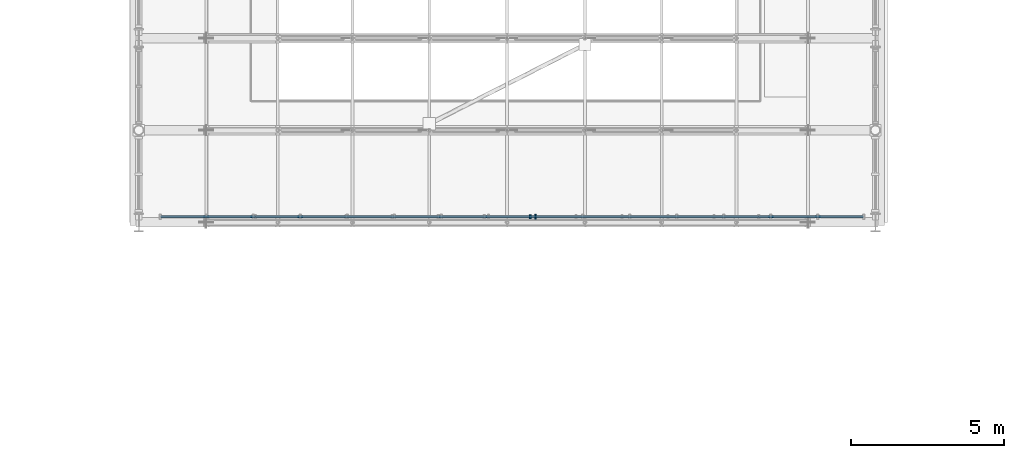
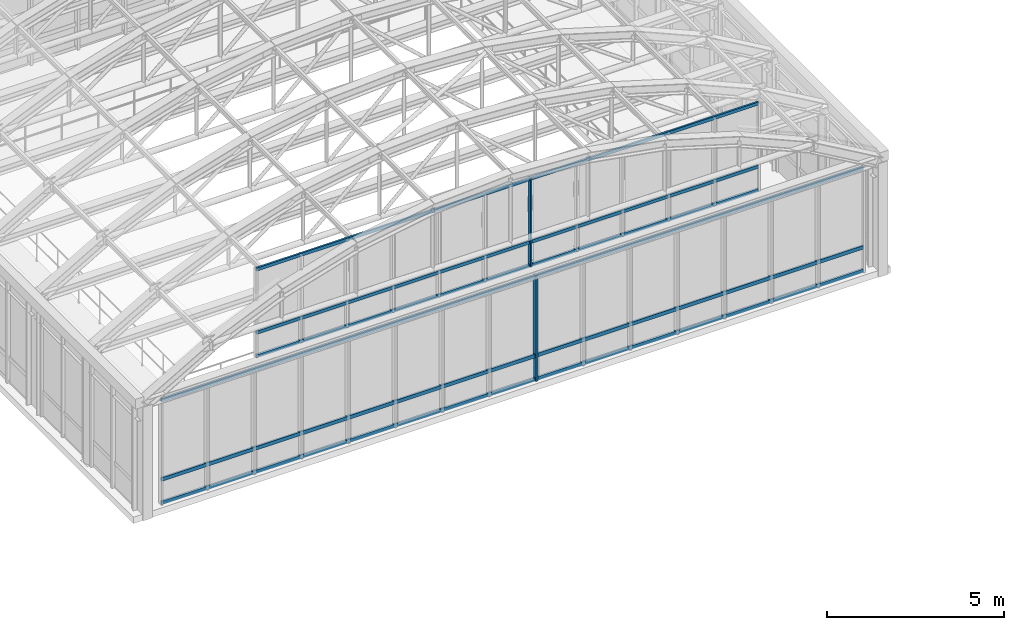
# One storey, part 54 of 148: 8 members, 2 elements without a shape of their own.
"""IFC4 building model written with IfcOpenShell, lengths in metres."""

from ifc_helpers import new_model, si_unit, direction, frame, origin, origin_2d, place, context, subcontext, project, spatial, rectangle, extrude, material, layer, layer_set, material_profile, profile_set, type_object, element, aggregate, save


model = new_model("IFC4")

# Units and contexts
model_context = context("Model", 3, precision=1e-05, world=origin(), true_north=direction((0.0, 1.0)))
body_context = subcontext(model_context, "Body", "Model", "MODEL_VIEW")
ifc_project = project(units=[si_unit("LENGTHUNIT", "METRE"), si_unit("AREAUNIT", "SQUARE_METRE"), si_unit("VOLUMEUNIT", "CUBIC_METRE"), si_unit("PLANEANGLEUNIT", "RADIAN"), si_unit("MASSUNIT", "GRAM", prefix="KILO"), si_unit("THERMODYNAMICTEMPERATUREUNIT", "KELVIN"), si_unit("POWERUNIT", "WATT")], contexts=[model_context])

# Site, building, storey
site_placement = place(None, origin())
site = spatial("IfcSite", under=ifc_project, at=site_placement, CompositionType="ELEMENT")
building_placement = place(site_placement, origin())
building = spatial("IfcBuilding", under=site, at=building_placement, Name="Solvatero Civic Police Headquarters", CompositionType="ELEMENT")
storey_placement = place(building_placement, frame((0.0, 0.0, 5.10009765625)))
storey = spatial("IfcBuildingStorey", under=building, at=storey_placement, Name="L01", CompositionType="ELEMENT", Elevation=5.10009765625)

# Curtain wall, member
ifc_material = material(Name="Anodized Bronze Aluminium", Category="aluminium")
ifc_layer_1 = layer(ifc_material, 0.179931640625)
ifc_layer_set_1 = layer_set([ifc_layer_1], Name="Anodized Bronze Aluminium")
curtain_wall_type_1 = type_object("IfcCurtainWallType", Name="CW-VLT-TYMP", PredefinedType="USERDEFINED", material=ifc_layer_set_1)
curtain_wall_1_placement = place(storey_placement, origin())
curtain_wall_1 = element("IfcCurtainWall", 1, at=curtain_wall_1_placement, inside=storey, type_object=curtain_wall_type_1, Name="Curtain Wall CW-R2-L01-VLT2-S", ObjectType="UNITISED", PredefinedType="USERDEFINED")
ifc_material_profile_1 = material_profile(ifc_material, rectangle(XDim=0.06005859375, YDim=0.139892578125, at=origin_2d()), Name="ALU MULLION 60x140")
ifc_profile_set_1 = profile_set([ifc_material_profile_1], Name="Anodized Bronze Aluminium")
member_type_1 = type_object("IfcMemberType", Name="CWM-160x65", PredefinedType="MULLION", material=ifc_profile_set_1)
member_1_placement = place(storey_placement, frame((77.549072265625, 41.679931640625, 3.97998046875), z_axis=(0.0, 0.0, 1.0), x_axis=(1.0, 0.0, 0.0)))
member_1 = element("IfcMember", 2, at=member_1_placement, type_object=member_type_1, Name="CW-R2-L01-VLT2-S Mullion 7", PredefinedType="MULLION", context=body_context, shape_type="SweptSolid", body=[
    extrude(rectangle(XDim=0.06005859375, YDim=0.139892578125, at=origin_2d()), origin(), (0.0, 0.0, 1.0), 3.06982421875),
])

ifc_layer_2 = layer(ifc_material, 0.179931640625)
ifc_layer_set_2 = layer_set([ifc_layer_2], Name="Anodized Bronze Aluminium")
curtain_wall_type_2 = type_object("IfcCurtainWallType", Name="CW-HAL-GLZ", PredefinedType="USERDEFINED", material=ifc_layer_set_2)
curtain_wall_2_placement = place(storey_placement, origin())
curtain_wall_2 = element("IfcCurtainWall", 3, at=curtain_wall_2_placement, inside=storey, type_object=curtain_wall_type_2, Name="Curtain Wall CW-R2-L01-V2-S", ObjectType="UNITISED", PredefinedType="USERDEFINED")
ifc_material_profile_2 = material_profile(ifc_material, rectangle(XDim=0.06005859375, YDim=0.159912109375, at=origin_2d()), Name="ALU MULLION 60x160")
ifc_profile_set_2 = profile_set([ifc_material_profile_2], Name="Anodized Bronze Aluminium")
member_type_2 = type_object("IfcMemberType", Name="CWM-180x70", PredefinedType="MULLION", material=ifc_profile_set_2)
member_2_placement = place(storey_placement, frame((77.726806640625, 41.679931640625, 0.0), z_axis=(0.0, 0.0, 1.0), x_axis=(1.0, 0.0, 0.0)))
member_2 = element("IfcMember", 4, at=member_2_placement, type_object=member_type_2, Name="CW-R2-L01-V2-S Mullion 9", PredefinedType="MULLION", context=body_context, shape_type="SweptSolid", body=[
    extrude(rectangle(XDim=0.06005859375, YDim=0.159912109375, at=origin_2d()), origin(), (0.0, 0.0, 1.0), 3.619873046875),
])

# Member
ifc_material_profile_3 = material_profile(ifc_material, rectangle(XDim=0.06005859375, YDim=0.110107421875, at=origin_2d()), Name="ALU TRANSOM 60x110")
ifc_profile_set_3 = profile_set([ifc_material_profile_3], Name="Anodized Bronze Aluminium")
member_type_3 = type_object("IfcMemberType", Name="CWT-140x60", PredefinedType="USERDEFINED", material=ifc_profile_set_3)
member_3_placement = place(storey_placement, frame((68.610107421875, 41.679931640625, 4.02001953125), z_axis=(1.0, 0.0, 0.0), x_axis=(0.0, 1.0, 0.0)))
member_3 = element("IfcMember", 5, at=member_3_placement, type_object=member_type_3, Name="CW-R2-L01-VLT2-S Transom 1", ObjectType="TRANSOM", PredefinedType="USERDEFINED", context=body_context, shape_type="SweptSolid", body=[
    extrude(rectangle(XDim=0.06005859375, YDim=0.110107421875, at=origin_2d()), origin(), (0.0, 0.0, 1.0), 16.3798828125),
])

member_4_placement = place(storey_placement, frame((68.610107421875, 41.679931640625, 4.829833984375), z_axis=(1.0, 0.0, 0.0), x_axis=(0.0, 1.0, 0.0)))
member_4 = element("IfcMember", 6, at=member_4_placement, type_object=member_type_3, Name="CW-R2-L01-VLT2-S Transom 2", ObjectType="TRANSOM", PredefinedType="USERDEFINED", context=body_context, shape_type="SweptSolid", body=[
    extrude(rectangle(XDim=0.06005859375, YDim=0.110107421875, at=origin_2d()), origin(), (0.0, 0.0, 1.0), 16.3798828125),
])

member_5_placement = place(storey_placement, frame((68.610107421875, 41.679931640625, 7.010009765625), z_axis=(1.0, 0.0, 0.0), x_axis=(0.0, 1.0, 0.0)))
member_5 = element("IfcMember", 7, at=member_5_placement, type_object=member_type_3, Name="CW-R2-L01-VLT2-S Transom 3", ObjectType="TRANSOM", PredefinedType="USERDEFINED", context=body_context, shape_type="SweptSolid", body=[
    extrude(rectangle(XDim=0.06005859375, YDim=0.110107421875, at=origin_2d()), origin(), (0.0, 0.0, 1.0), 16.3798828125),
])

aggregate(curtain_wall_1, [member_1, member_3, member_4, member_5])

ifc_material_profile_4 = material_profile(ifc_material, rectangle(XDim=0.06005859375, YDim=0.125, at=origin_2d()), Name="ALU TRANSOM 60x125")
ifc_profile_set_4 = profile_set([ifc_material_profile_4], Name="Anodized Bronze Aluminium")
member_type_4 = type_object("IfcMemberType", Name="CWT-160x65", PredefinedType="USERDEFINED", material=ifc_profile_set_4)
member_6_placement = place(storey_placement, frame((65.510009765625, 41.679931640625, 0.039794921875), z_axis=(1.0, 0.0, 0.0), x_axis=(0.0, 1.0, 0.0)))
member_6 = element("IfcMember", 8, at=member_6_placement, type_object=member_type_4, Name="CW-R2-L01-V2-S Transom 1", ObjectType="TRANSOM", PredefinedType="USERDEFINED", context=body_context, shape_type="SweptSolid", body=[
    extrude(rectangle(XDim=0.06005859375, YDim=0.125, at=origin_2d()), origin(), (0.0, 0.0, 1.0), 22.89990234375),
])

member_7_placement = place(storey_placement, frame((65.510009765625, 41.679931640625, 0.849853515625), z_axis=(1.0, 0.0, 0.0), x_axis=(0.0, 1.0, 0.0)))
member_7 = element("IfcMember", 9, at=member_7_placement, type_object=member_type_4, Name="CW-R2-L01-V2-S Transom 2", ObjectType="TRANSOM", PredefinedType="USERDEFINED", context=body_context, shape_type="SweptSolid", body=[
    extrude(rectangle(XDim=0.06005859375, YDim=0.125, at=origin_2d()), origin(), (0.0, 0.0, 1.0), 22.89990234375),
])

member_8_placement = place(storey_placement, frame((65.510009765625, 41.679931640625, 3.579833984375), z_axis=(1.0, 0.0, 0.0), x_axis=(0.0, 1.0, 0.0)))
member_8 = element("IfcMember", 10, at=member_8_placement, type_object=member_type_4, Name="CW-R2-L01-V2-S Transom 3", ObjectType="TRANSOM", PredefinedType="USERDEFINED", context=body_context, shape_type="SweptSolid", body=[
    extrude(rectangle(XDim=0.06005859375, YDim=0.125, at=origin_2d()), origin(), (0.0, 0.0, 1.0), 22.89990234375),
])

aggregate(curtain_wall_2, [member_2, member_6, member_7, member_8])

save(model, "model.ifc")
